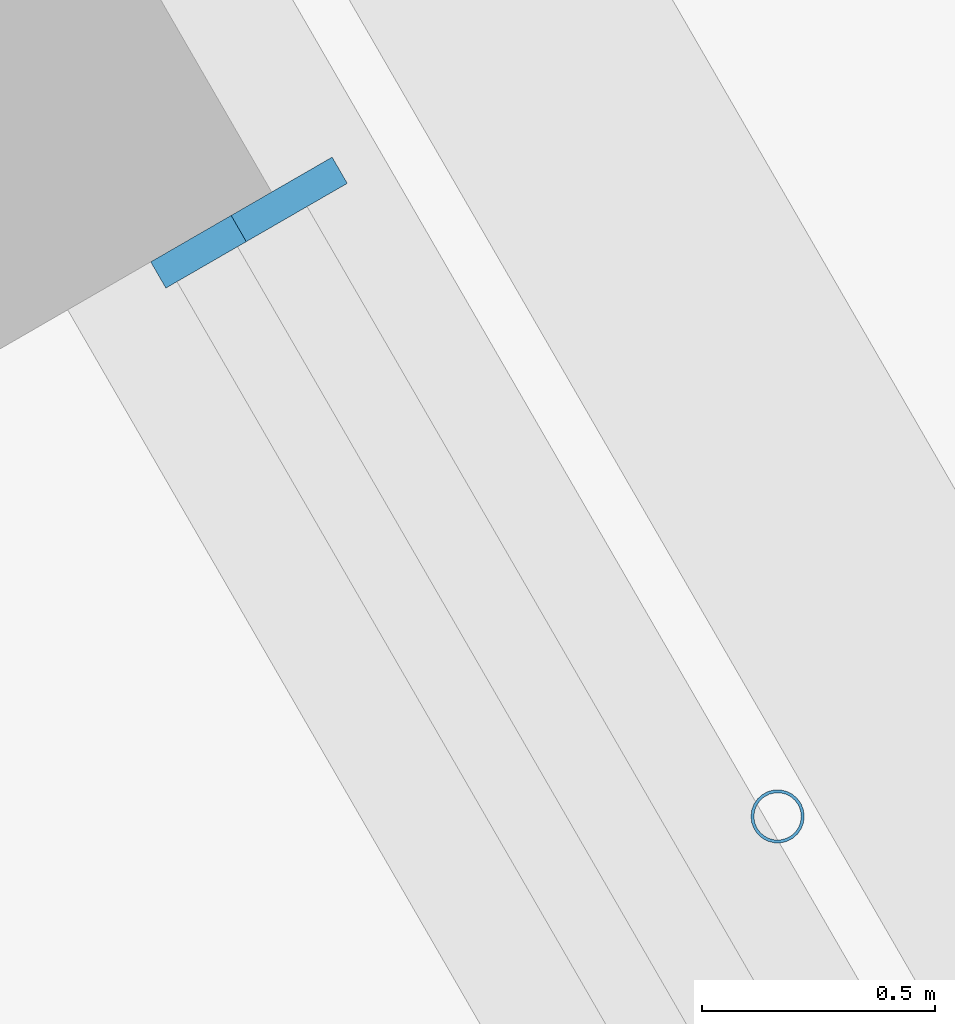
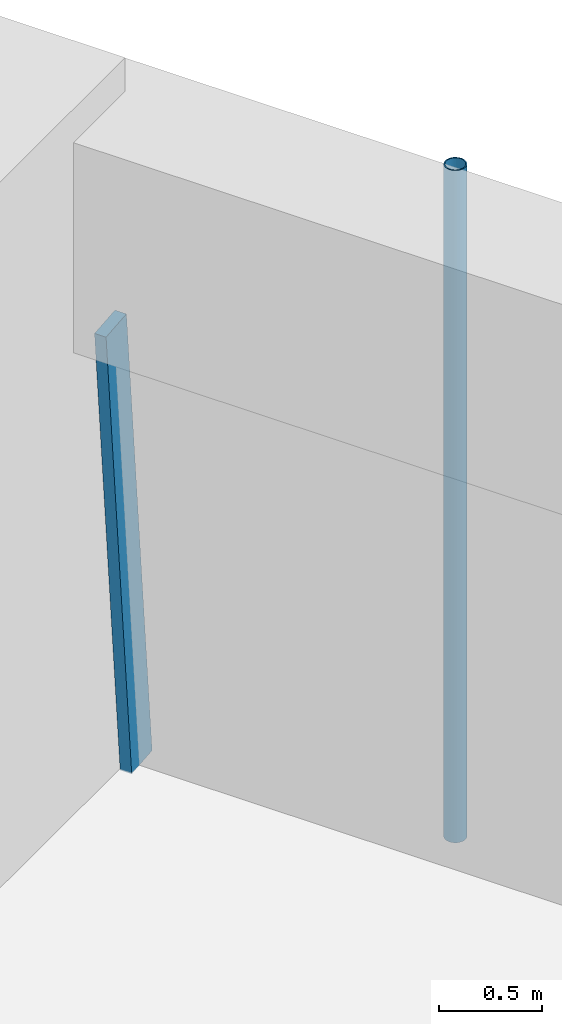
# One storey, part 15 of 24: 2 members, 1 element without a shape of its own.
"""IFC4 building model written with IfcOpenShell, lengths in metres."""

import ifcopenshell
import ifcopenshell.guid

model = None  # the IFC model being written
_history = None  # IfcOwnerHistory: only IFC2X3 demands one
_inside = {}  # id of a spatial element -> (the spatial element, [elements in it])
_under = {}  # id of a project, library or spatial element -> (it, [spatial elements below it])
_declared = {}  # id of a project -> (the project, [libraries it declares])
_typed = {}  # id of a type object -> (the type object, [elements of that type])
_made_of = {}  # id of a material, layer set ... -> (it, [elements and type objects made of it])


def new_model(schema):
    """Start an empty IFC model of exactly this schema.

    Asked for "IFC4X3", IfcOpenShell would pick the latest addendum, in which some entities
    have other attributes; the version numbers below select the first issue.
    IFC2X3 requires an IfcOwnerHistory on every rooted entity: one is made here for all.
    """
    global model, _history
    if schema == "IFC4X3":
        model = ifcopenshell.file(schema_version=(4, 3, 0, 0))
    else:
        model = ifcopenshell.file(schema=schema)
    _inside.clear()
    _under.clear()
    _declared.clear()
    _typed.clear()
    _made_of.clear()
    _history = None
    if model.schema == "IFC2X3":
        org = make("IfcOrganization", Name="unknown")
        user = make(
            "IfcPersonAndOrganization",
            ThePerson=make("IfcPerson", FamilyName="unknown"),
            TheOrganization=org,
        )
        app = make(
            "IfcApplication",
            ApplicationDeveloper=org,
            Version="unknown",
            ApplicationFullName="unknown",
            ApplicationIdentifier="unknown",
        )
        _history = make(
            "IfcOwnerHistory",
            OwningUser=user,
            OwningApplication=app,
            ChangeAction="ADDED",
            CreationDate=0,
        )
    return model


def make(cls, **values):
    """One entity of the class cls with the attributes given. An attribute that is None is left unset."""
    return model.create_entity(
        cls, **{name: value for name, value in values.items() if value is not None}
    )


def rooted(cls, **values):
    """An entity with a GlobalId (a new one), such as an element, a storey or a relation."""
    return make(cls, GlobalId=ifcopenshell.guid.new(), OwnerHistory=_history, **values)


def si_unit(unit_type, name, prefix=None):
    """IfcSIUnit, for example si_unit("LENGTHUNIT", "METRE", prefix="MILLI")."""
    return make("IfcSIUnit", UnitType=unit_type, Prefix=prefix, Name=name)


def assignment(units):
    """IfcUnitAssignment: the units of a project."""
    return None if units is None else make("IfcUnitAssignment", Units=units)


def point(xyz):
    """IfcCartesianPoint."""
    return None if xyz is None else make("IfcCartesianPoint", Coordinates=xyz)


def direction(xyz):
    """IfcDirection."""
    return None if xyz is None else make("IfcDirection", DirectionRatios=xyz)


def frame(location, z_axis=None, x_axis=None):
    """IfcAxis2Placement3D, a coordinate frame: its origin and axes. An axis left out is left unset."""
    return make(
        "IfcAxis2Placement3D",
        Location=point(location),
        Axis=direction(z_axis),
        RefDirection=direction(x_axis),
    )


def frame_2d(location, x_axis=None):
    """IfcAxis2Placement2D, a coordinate frame in the plane: its origin and x axis."""
    return make(
        "IfcAxis2Placement2D", Location=point(location), RefDirection=direction(x_axis)
    )


def origin():
    """The frame at (0, 0, 0) with its axes left unset."""
    return frame((0.0, 0.0, 0.0))


def origin_2d():
    """The frame at (0, 0) in the plane with its x axis left unset."""
    return frame_2d((0.0, 0.0))


def place(relative_to, where):
    """IfcLocalPlacement: puts the frame where relative to a parent placement (None: the world)."""
    return make(
        "IfcLocalPlacement", PlacementRelTo=relative_to, RelativePlacement=where
    )


def context(
    kind, dimensions, precision=None, world=None, true_north=None, identifier=None
):
    """IfcGeometricRepresentationContext, for example the 3D "Model" context."""
    return make(
        "IfcGeometricRepresentationContext",
        ContextIdentifier=identifier,
        ContextType=kind,
        CoordinateSpaceDimension=dimensions,
        Precision=precision,
        WorldCoordinateSystem=world,
        TrueNorth=true_north,
    )


def subcontext(parent, identifier, kind, view, scale=None):
    """IfcGeometricRepresentationSubContext, for example "Body" below "Model"."""
    return make(
        "IfcGeometricRepresentationSubContext",
        ContextIdentifier=identifier,
        ContextType=kind,
        ParentContext=parent,
        TargetScale=scale,
        TargetView=view,
    )


def project(units=None, contexts=None):
    """IfcProject with its units and contexts."""
    return rooted(
        "IfcProject",
        Name="project",
        RepresentationContexts=contexts,
        UnitsInContext=assignment(units),
    )


def spatial(cls, under=None, at=None, **own):
    """A site, building, storey or space (cls), placed at a placement, below another one or the project."""
    s = rooted(cls, ObjectPlacement=at, **own)
    if under is not None:
        _under.setdefault(under.id(), (under, []))[1].append(s)
    return s


def profile(cls, at=None, kind="AREA", **sizes):
    """A parametric profile (cls). Its sizes go by their IFC names, for example OverallWidth=200.0."""
    return make(cls, ProfileType=kind, Position=at, **sizes)


def rectangle(**sizes):
    """IfcRectangleProfileDef."""
    return profile("IfcRectangleProfileDef", **sizes)


def hollow_circle(**sizes):
    """IfcCircleHollowProfileDef."""
    return profile("IfcCircleHollowProfileDef", **sizes)


def extrude(swept, where, along, depth):
    """IfcExtrudedAreaSolid: the profile swept, set in the frame where, extruded along a direction by depth."""
    return make(
        "IfcExtrudedAreaSolid",
        SweptArea=swept,
        Position=where,
        ExtrudedDirection=direction(along),
        Depth=depth,
    )


def shape(context_of_items, identifier, shape_type, items):
    """IfcShapeRepresentation: the items that make up one representation, for example the "Body"."""
    return make(
        "IfcShapeRepresentation",
        ContextOfItems=context_of_items,
        RepresentationIdentifier=identifier,
        RepresentationType=shape_type,
        Items=items,
    )


def material(Name=None, Category=None):
    """IfcMaterial."""
    return make("IfcMaterial", Name=Name, Category=Category)


def material_profile(
    of_material, cross_section, Name=None, Category=None, Priority=None
):
    """IfcMaterialProfile: a cross section and its material."""
    return make(
        "IfcMaterialProfile",
        Name=Name,
        Material=of_material,
        Profile=cross_section,
        Priority=Priority,
        Category=Category,
    )


def profile_set(profiles, Name=None, composite=None):
    """IfcMaterialProfileSet."""
    return make(
        "IfcMaterialProfileSet",
        Name=Name,
        MaterialProfiles=profiles,
        CompositeProfile=composite,
    )


def made_of(thing, what):
    """Note that an element or type object is made of a material, layer set ...; save() writes the relation."""
    if what is not None:
        _made_of.setdefault(what.id(), (what, []))[1].append(thing)
    return thing


def type_object(cls, material=None, **own):
    """A type object (cls), such as IfcWallType, which elements share."""
    return made_of(rooted(cls, **own), material)


def element(
    cls,
    number,
    at=None,
    inside=None,
    cuts=None,
    type_object=None,
    material=None,
    context=None,
    identifier="Body",
    shape_type=None,
    held_by="IfcProductDefinitionShape",
    body=None,
    shapes=None,
    **own,
):
    """One element of the class cls, such as IfcWall. Its Tag is "e" and its number.

    at: its placement. inside: the storey or other place that contains it. cuts: it is an
    opening in that element (IfcRelVoidsElement). A single representation is given by context,
    identifier, shape_type and body (its items); several are given by shapes. held_by: the class
    of the entity that holds the representations. save() writes the other relations.
    """
    e = rooted(cls, Tag="e%d" % number, ObjectPlacement=at, **own)
    if body is not None:
        shapes = [shape(context, identifier, shape_type, body)]
    if shapes is not None:
        e.Representation = make(held_by, Representations=shapes)
    if inside is not None:
        _inside.setdefault(inside.id(), (inside, []))[1].append(e)
    if cuts is not None:
        rooted(
            "IfcRelVoidsElement", RelatingBuildingElement=cuts, RelatedOpeningElement=e
        )
    if type_object is not None:
        _typed.setdefault(type_object.id(), (type_object, []))[1].append(e)
    return made_of(e, material)


def aggregate(whole, parts):
    """IfcRelAggregates: a whole, such as a stair, and the parts it consists of."""
    return rooted("IfcRelAggregates", RelatingObject=whole, RelatedObjects=parts)


def save(model, path):
    """Write the relations noted so far, then the file.

    IfcRelAggregates (storeys below a building ...), IfcRelContainedInSpatialStructure (elements
    in a storey), IfcRelDefinesByType, IfcRelAssociatesMaterial and IfcRelDeclares: one each for
    every whole, place, type object, material and project.
    """
    for whole, parts in _under.values():
        aggregate(whole, parts)
    for where, things in _inside.values():
        rooted(
            "IfcRelContainedInSpatialStructure",
            RelatedElements=things,
            RelatingStructure=where,
        )
    for kind, things in _typed.values():
        rooted("IfcRelDefinesByType", RelatedObjects=things, RelatingType=kind)
    for what, things in _made_of.values():
        rooted("IfcRelAssociatesMaterial", RelatedObjects=things, RelatingMaterial=what)
    for by, libraries in _declared.values():
        rooted("IfcRelDeclares", RelatingContext=by, RelatedDefinitions=libraries)
    model.write(path)


model = new_model("IFC4")

# Units and contexts
model_context = context("Model", 3, precision=1e-05, world=origin(), true_north=direction((0.0, 1.0)))
body_context = subcontext(model_context, "Body", "Model", "MODEL_VIEW")
ifc_project = project(units=[si_unit("LENGTHUNIT", "METRE"), si_unit("AREAUNIT", "SQUARE_METRE"), si_unit("VOLUMEUNIT", "CUBIC_METRE"), si_unit("PLANEANGLEUNIT", "RADIAN"), si_unit("MASSUNIT", "GRAM", prefix="KILO")], contexts=[model_context])

# Site, building, storey
site_placement = place(None, origin())
site = spatial("IfcSite", under=ifc_project, at=site_placement, CompositionType="ELEMENT")
building_placement = place(site_placement, origin())
building = spatial("IfcBuilding", under=site, at=building_placement, Name="Tarfa Lantern Tower", CompositionType="ELEMENT")
storey_placement = place(building_placement, frame((0.0, 0.0, 165.699951171875)))
storey = spatial("IfcBuildingStorey", under=building, at=storey_placement, Name="L37", CompositionType="ELEMENT", Elevation=165.699951171875)

# Curtain wall, member
ifc_material_1 = material(Name="Aluminium framed curtain wall", Category="aluminium")
curtain_wall_type = type_object("IfcCurtainWallType", Name="CW2 CANTED GLAZING MID ZONE 2750", PredefinedType="USERDEFINED", material=ifc_material_1)
curtain_wall_placement = place(storey_placement, origin())
curtain_wall = element("IfcCurtainWall", 1, at=curtain_wall_placement, inside=storey, type_object=curtain_wall_type, Name="CW2 NE L37", ObjectType="CURTAIN WALL", PredefinedType="USERDEFINED")
ifc_material_2 = material(Name="Aluminium mullion", Category="aluminium")
ifc_material_profile_1 = material_profile(ifc_material_2, rectangle(XDim=0.06494140625, YDim=0.199951171875, at=origin_2d()), Name="AL MULLION 65x200")
ifc_profile_set_1 = profile_set([ifc_material_profile_1], Name="Aluminium mullion")
member_type_1 = type_object("IfcMemberType", Name="CWM1 MULLION 65x200", PredefinedType="MULLION", material=ifc_profile_set_1)
member_1_placement = place(storey_placement, frame((30.111328125, 10.645751953125, 0.0), z_axis=(-0.078422950161, -0.045267813396, 0.995891894715), x_axis=(0.499919672301, -0.866071776036, 0.0)))
member_1 = element("IfcMember", 2, at=member_1_placement, type_object=member_type_1, Name="CW2 mullion 2", PredefinedType="MULLION", context=body_context, shape_type="SweptSolid", body=[
    extrude(rectangle(XDim=0.06494140625, YDim=0.199951171875, at=origin_2d()), origin(), (0.0, 0.0, 1.0), 2.76123046875),
])
aggregate(curtain_wall, [member_1])

# Member
ifc_material_3 = material(Name="Steel S355", Category="steel")
ifc_material_profile_2 = material_profile(ifc_material_3, hollow_circle(Radius=0.05712890625, WallThickness=0.00634765625, at=origin_2d()), Name="CHS114.3x6.3")
ifc_profile_set_2 = profile_set([ifc_material_profile_2], Name="Steel S355")
member_type_2 = type_object("IfcMemberType", Name="TR1 GREEN WALL TRELLIS CHS114.3x6.3", PredefinedType="USERDEFINED", material=ifc_profile_set_2)
member_2_placement = place(storey_placement, frame((31.136474609375, 9.31005859375, 0.0), z_axis=(0.0, 0.0, 1.0), x_axis=(1.0, 0.0, 0.0)))
element("IfcMember", 3, at=member_2_placement, inside=storey, type_object=member_type_2, Name="Trellis post NE 1", ObjectType="TRELLIS", PredefinedType="USERDEFINED", context=body_context, shape_type="SweptSolid", body=[
    extrude(hollow_circle(Radius=0.05712890625, WallThickness=0.00634765625, at=origin_2d()), origin(), (0.0, 0.0, 1.0), 4.0),
])

save(model, "model.ifc")
